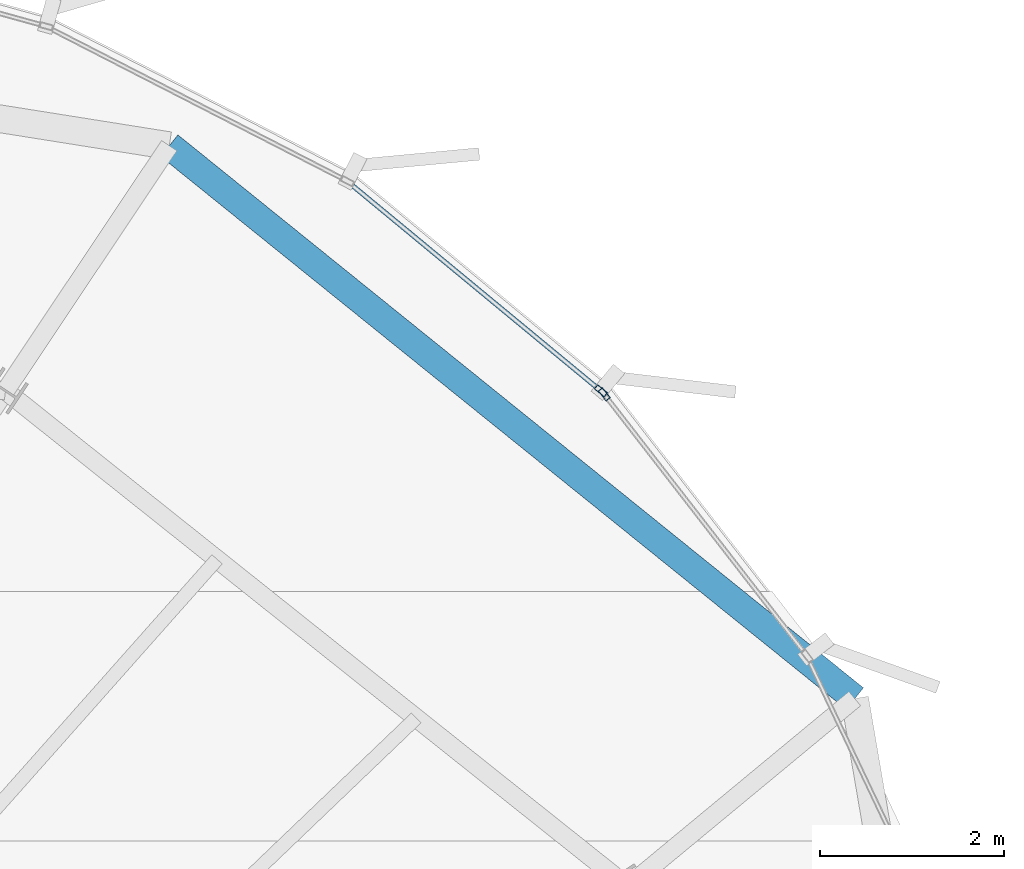
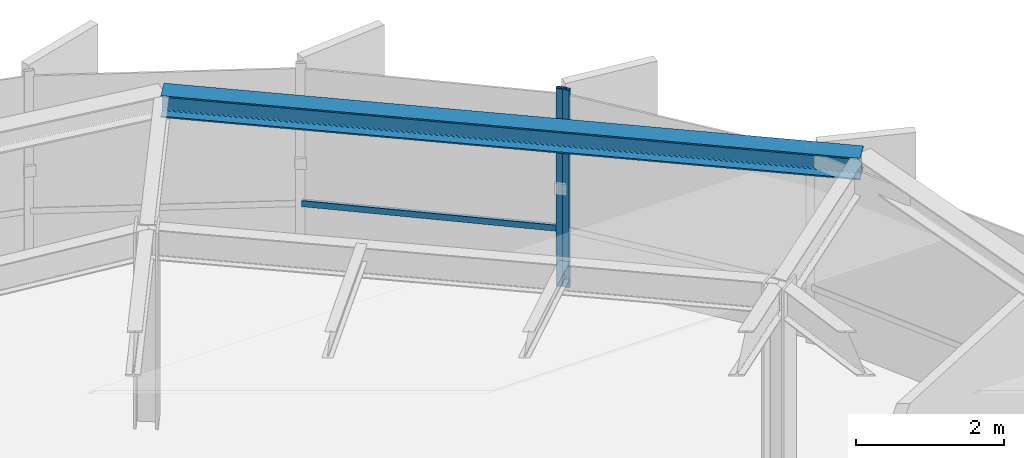
# One storey, part 26 of 33: 3 members, 1 beam, 2 elements without a shape of their own.
"""IFC4 building model written with IfcOpenShell, lengths in metres."""

import ifcopenshell
import ifcopenshell.guid

model = None  # the IFC model being written
_history = None  # IfcOwnerHistory: only IFC2X3 demands one
_inside = {}  # id of a spatial element -> (the spatial element, [elements in it])
_under = {}  # id of a project, library or spatial element -> (it, [spatial elements below it])
_declared = {}  # id of a project -> (the project, [libraries it declares])
_typed = {}  # id of a type object -> (the type object, [elements of that type])
_made_of = {}  # id of a material, layer set ... -> (it, [elements and type objects made of it])


def new_model(schema):
    """Start an empty IFC model of exactly this schema.

    Asked for "IFC4X3", IfcOpenShell would pick the latest addendum, in which some entities
    have other attributes; the version numbers below select the first issue.
    IFC2X3 requires an IfcOwnerHistory on every rooted entity: one is made here for all.
    """
    global model, _history
    if schema == "IFC4X3":
        model = ifcopenshell.file(schema_version=(4, 3, 0, 0))
    else:
        model = ifcopenshell.file(schema=schema)
    _inside.clear()
    _under.clear()
    _declared.clear()
    _typed.clear()
    _made_of.clear()
    _history = None
    if model.schema == "IFC2X3":
        org = make("IfcOrganization", Name="unknown")
        user = make(
            "IfcPersonAndOrganization",
            ThePerson=make("IfcPerson", FamilyName="unknown"),
            TheOrganization=org,
        )
        app = make(
            "IfcApplication",
            ApplicationDeveloper=org,
            Version="unknown",
            ApplicationFullName="unknown",
            ApplicationIdentifier="unknown",
        )
        _history = make(
            "IfcOwnerHistory",
            OwningUser=user,
            OwningApplication=app,
            ChangeAction="ADDED",
            CreationDate=0,
        )
    return model


def make(cls, **values):
    """One entity of the class cls with the attributes given. An attribute that is None is left unset."""
    return model.create_entity(
        cls, **{name: value for name, value in values.items() if value is not None}
    )


def rooted(cls, **values):
    """An entity with a GlobalId (a new one), such as an element, a storey or a relation."""
    return make(cls, GlobalId=ifcopenshell.guid.new(), OwnerHistory=_history, **values)


def si_unit(unit_type, name, prefix=None):
    """IfcSIUnit, for example si_unit("LENGTHUNIT", "METRE", prefix="MILLI")."""
    return make("IfcSIUnit", UnitType=unit_type, Prefix=prefix, Name=name)


def assignment(units):
    """IfcUnitAssignment: the units of a project."""
    return None if units is None else make("IfcUnitAssignment", Units=units)


def point(xyz):
    """IfcCartesianPoint."""
    return None if xyz is None else make("IfcCartesianPoint", Coordinates=xyz)


def direction(xyz):
    """IfcDirection."""
    return None if xyz is None else make("IfcDirection", DirectionRatios=xyz)


def frame(location, z_axis=None, x_axis=None):
    """IfcAxis2Placement3D, a coordinate frame: its origin and axes. An axis left out is left unset."""
    return make(
        "IfcAxis2Placement3D",
        Location=point(location),
        Axis=direction(z_axis),
        RefDirection=direction(x_axis),
    )


def frame_2d(location, x_axis=None):
    """IfcAxis2Placement2D, a coordinate frame in the plane: its origin and x axis."""
    return make(
        "IfcAxis2Placement2D", Location=point(location), RefDirection=direction(x_axis)
    )


def origin():
    """The frame at (0, 0, 0) with its axes left unset."""
    return frame((0.0, 0.0, 0.0))


def origin_2d():
    """The frame at (0, 0) in the plane with its x axis left unset."""
    return frame_2d((0.0, 0.0))


def place(relative_to, where):
    """IfcLocalPlacement: puts the frame where relative to a parent placement (None: the world)."""
    return make(
        "IfcLocalPlacement", PlacementRelTo=relative_to, RelativePlacement=where
    )


def context(
    kind, dimensions, precision=None, world=None, true_north=None, identifier=None
):
    """IfcGeometricRepresentationContext, for example the 3D "Model" context."""
    return make(
        "IfcGeometricRepresentationContext",
        ContextIdentifier=identifier,
        ContextType=kind,
        CoordinateSpaceDimension=dimensions,
        Precision=precision,
        WorldCoordinateSystem=world,
        TrueNorth=true_north,
    )


def subcontext(parent, identifier, kind, view, scale=None):
    """IfcGeometricRepresentationSubContext, for example "Body" below "Model"."""
    return make(
        "IfcGeometricRepresentationSubContext",
        ContextIdentifier=identifier,
        ContextType=kind,
        ParentContext=parent,
        TargetScale=scale,
        TargetView=view,
    )


def project(units=None, contexts=None):
    """IfcProject with its units and contexts."""
    return rooted(
        "IfcProject",
        Name="project",
        RepresentationContexts=contexts,
        UnitsInContext=assignment(units),
    )


def spatial(cls, under=None, at=None, **own):
    """A site, building, storey or space (cls), placed at a placement, below another one or the project."""
    s = rooted(cls, ObjectPlacement=at, **own)
    if under is not None:
        _under.setdefault(under.id(), (under, []))[1].append(s)
    return s


def profile(cls, at=None, kind="AREA", **sizes):
    """A parametric profile (cls). Its sizes go by their IFC names, for example OverallWidth=200.0."""
    return make(cls, ProfileType=kind, Position=at, **sizes)


def hollow_rectangle(**sizes):
    """IfcRectangleHollowProfileDef."""
    return profile("IfcRectangleHollowProfileDef", **sizes)


def i_section(**sizes):
    """IfcIShapeProfileDef."""
    return profile("IfcIShapeProfileDef", **sizes)


def extrude(swept, where, along, depth):
    """IfcExtrudedAreaSolid: the profile swept, set in the frame where, extruded along a direction by depth."""
    return make(
        "IfcExtrudedAreaSolid",
        SweptArea=swept,
        Position=where,
        ExtrudedDirection=direction(along),
        Depth=depth,
    )


def shape(context_of_items, identifier, shape_type, items):
    """IfcShapeRepresentation: the items that make up one representation, for example the "Body"."""
    return make(
        "IfcShapeRepresentation",
        ContextOfItems=context_of_items,
        RepresentationIdentifier=identifier,
        RepresentationType=shape_type,
        Items=items,
    )


def source(mapping_origin, context_of_items, identifier, shape_type, items):
    """IfcRepresentationMap: a shape defined once, which mapped items show again and again."""
    return make(
        "IfcRepresentationMap",
        MappingOrigin=mapping_origin,
        MappedRepresentation=shape(context_of_items, identifier, shape_type, items),
    )


def transform(
    local_origin,
    x_axis=None,
    y_axis=None,
    z_axis=None,
    scale=None,
    scale2=None,
    scale3=None,
    uniform=True,
):
    """IfcCartesianTransformationOperator3D, or its non-uniform kind. x_axis, y_axis, z_axis: its Axis1, 2, 3."""
    if uniform:
        return make(
            "IfcCartesianTransformationOperator3D",
            Axis1=direction(x_axis),
            Axis2=direction(y_axis),
            LocalOrigin=point(local_origin),
            Scale=scale,
            Axis3=direction(z_axis),
        )
    return make(
        "IfcCartesianTransformationOperator3DnonUniform",
        Axis1=direction(x_axis),
        Axis2=direction(y_axis),
        LocalOrigin=point(local_origin),
        Scale=scale,
        Axis3=direction(z_axis),
        Scale2=scale2,
        Scale3=scale3,
    )


def mapped(mapping_source, mapping_target):
    """IfcMappedItem: shows the shape of a source again, moved by a transform."""
    return make(
        "IfcMappedItem", MappingSource=mapping_source, MappingTarget=mapping_target
    )


def material(Name=None, Category=None):
    """IfcMaterial."""
    return make("IfcMaterial", Name=Name, Category=Category)


def layer(
    of_material, thickness, ventilated=None, Name=None, Category=None, Priority=None
):
    """IfcMaterialLayer: one layer of a wall or slab, of a material (None: an air gap)."""
    return make(
        "IfcMaterialLayer",
        Material=of_material,
        LayerThickness=thickness,
        IsVentilated=ventilated,
        Name=Name,
        Category=Category,
        Priority=Priority,
    )


def layer_set(layers, Name=None):
    """IfcMaterialLayerSet."""
    return make("IfcMaterialLayerSet", MaterialLayers=layers, LayerSetName=Name)


def material_profile(
    of_material, cross_section, Name=None, Category=None, Priority=None
):
    """IfcMaterialProfile: a cross section and its material."""
    return make(
        "IfcMaterialProfile",
        Name=Name,
        Material=of_material,
        Profile=cross_section,
        Priority=Priority,
        Category=Category,
    )


def profile_set(profiles, Name=None, composite=None):
    """IfcMaterialProfileSet."""
    return make(
        "IfcMaterialProfileSet",
        Name=Name,
        MaterialProfiles=profiles,
        CompositeProfile=composite,
    )


def made_of(thing, what):
    """Note that an element or type object is made of a material, layer set ...; save() writes the relation."""
    if what is not None:
        _made_of.setdefault(what.id(), (what, []))[1].append(thing)
    return thing


def type_object(cls, material=None, **own):
    """A type object (cls), such as IfcWallType, which elements share."""
    return made_of(rooted(cls, **own), material)


def element(
    cls,
    number,
    at=None,
    inside=None,
    cuts=None,
    type_object=None,
    material=None,
    context=None,
    identifier="Body",
    shape_type=None,
    held_by="IfcProductDefinitionShape",
    body=None,
    shapes=None,
    **own,
):
    """One element of the class cls, such as IfcWall. Its Tag is "e" and its number.

    at: its placement. inside: the storey or other place that contains it. cuts: it is an
    opening in that element (IfcRelVoidsElement). A single representation is given by context,
    identifier, shape_type and body (its items); several are given by shapes. held_by: the class
    of the entity that holds the representations. save() writes the other relations.
    """
    e = rooted(cls, Tag="e%d" % number, ObjectPlacement=at, **own)
    if body is not None:
        shapes = [shape(context, identifier, shape_type, body)]
    if shapes is not None:
        e.Representation = make(held_by, Representations=shapes)
    if inside is not None:
        _inside.setdefault(inside.id(), (inside, []))[1].append(e)
    if cuts is not None:
        rooted(
            "IfcRelVoidsElement", RelatingBuildingElement=cuts, RelatedOpeningElement=e
        )
    if type_object is not None:
        _typed.setdefault(type_object.id(), (type_object, []))[1].append(e)
    return made_of(e, material)


def aggregate(whole, parts):
    """IfcRelAggregates: a whole, such as a stair, and the parts it consists of."""
    return rooted("IfcRelAggregates", RelatingObject=whole, RelatedObjects=parts)


def save(model, path):
    """Write the relations noted so far, then the file.

    IfcRelAggregates (storeys below a building ...), IfcRelContainedInSpatialStructure (elements
    in a storey), IfcRelDefinesByType, IfcRelAssociatesMaterial and IfcRelDeclares: one each for
    every whole, place, type object, material and project.
    """
    for whole, parts in _under.values():
        aggregate(whole, parts)
    for where, things in _inside.values():
        rooted(
            "IfcRelContainedInSpatialStructure",
            RelatedElements=things,
            RelatingStructure=where,
        )
    for kind, things in _typed.values():
        rooted("IfcRelDefinesByType", RelatedObjects=things, RelatingType=kind)
    for what, things in _made_of.values():
        rooted("IfcRelAssociatesMaterial", RelatedObjects=things, RelatingMaterial=what)
    for by, libraries in _declared.values():
        rooted("IfcRelDeclares", RelatingContext=by, RelatedDefinitions=libraries)
    model.write(path)


model = new_model("IFC4")

# Units and contexts
model_context = context("Model", 3, precision=1e-05, world=origin(), true_north=direction((0.0, 1.0)))
body_context = subcontext(model_context, "Body", "Model", "MODEL_VIEW")
ifc_project = project(units=[si_unit("LENGTHUNIT", "METRE"), si_unit("AREAUNIT", "SQUARE_METRE"), si_unit("VOLUMEUNIT", "CUBIC_METRE"), si_unit("PLANEANGLEUNIT", "RADIAN"), si_unit("MASSUNIT", "GRAM", prefix="KILO"), si_unit("THERMODYNAMICTEMPERATUREUNIT", "KELVIN")], contexts=[model_context])

# Site, building, storey
site_placement = place(None, origin())
site = spatial("IfcSite", under=ifc_project, at=site_placement, CompositionType="ELEMENT")
building_placement = place(site_placement, origin())
building = spatial("IfcBuilding", under=site, at=building_placement, Name="Kethvar Cultural Tower", CompositionType="ELEMENT")
storey_placement = place(building_placement, frame((0.0, 0.0, 211.39990234375)))
storey = spatial("IfcBuildingStorey", under=building, at=storey_placement, Name="L55", CompositionType="ELEMENT", Elevation=211.39990234375)

# Beam
ifc_material_1 = material(Name="Steel S355J2", Category="steel")
ifc_material_profile_1 = material_profile(ifc_material_1, i_section(OverallWidth=0.300048828125, OverallDepth=0.360107421875, WebThickness=0.012451171875, FlangeThickness=0.0224609375, FilletRadius=0.027099609375, at=origin_2d()), Name="Steel S355J2 — HEB360")
ifc_profile_set_1 = profile_set([ifc_material_profile_1], Name="Steel S355J2 — HEB360")
beam_type = type_object("IfcBeamType", Name="BM-SP360", PredefinedType="SPANDREL", material=ifc_profile_set_1)
shared_shape_1 = source(origin(), body_context, "Body", "SweptSolid", [
    extrude(i_section(OverallWidth=0.300048828125, OverallDepth=0.360107421875, WebThickness=0.012451171875, FlangeThickness=0.0224609375, FilletRadius=0.027099609375, at=origin_2d()), origin(), (0.0, 0.0, 1.0), 9.563232421875),
])
beam_placement = place(storey_placement, frame((67.96923828125, 42.338134765625, 3.078125), z_axis=(-0.77833939171, 0.627843763458, 0.0), x_axis=(-0.627843763458, -0.77833939171, 0.0)))
element("IfcBeam", 1, at=beam_placement, inside=storey, type_object=beam_type, Name="L55 Perimeter Spandrel Beam SP-02", PredefinedType="SPANDREL", context=body_context, shape_type="MappedRepresentation", body=[
    mapped(shared_shape_1, transform((0.0, 0.0, 0.0), scale=1.0)),
])

# Curtain wall, member
ifc_material_2 = material(Name="Aluminium 6063-T6", Category="aluminium")
ifc_layer = layer(ifc_material_2, 0.179931640625, Name="Aluminium 6063-T6", Category="aluminium")
ifc_layer_set = layer_set([ifc_layer], Name="Aluminium 6063-T6 (180 mm)")
curtain_wall_type = type_object("IfcCurtainWallType", Name="CW-SYS-04-Z34", PredefinedType="NOTDEFINED", material=ifc_layer_set)
curtain_wall_1_placement = place(storey_placement, origin())
curtain_wall_1 = element("IfcCurtainWall", 2, at=curtain_wall_1_placement, inside=storey, type_object=curtain_wall_type, Name="L55 Curtain Wall Run 01", PredefinedType="NOTDEFINED")
ifc_material_profile_2 = material_profile(ifc_material_2, hollow_rectangle(XDim=0.06005859375, YDim=0.139892578125, WallThickness=0.0048828125, at=origin_2d()), Name="Aluminium 6063-T6 — RHS140x60x5")
ifc_profile_set_2 = profile_set([ifc_material_profile_2], Name="Aluminium 6063-T6 — RHS140x60x5")
member_type_1 = type_object("IfcMemberType", Name="CW-SYS-04-Z34-MUL", PredefinedType="MULLION", material=ifc_profile_set_2)
shared_shape_2 = source(origin(), body_context, "Body", "SweptSolid", [
    extrude(hollow_rectangle(XDim=0.06005859375, YDim=0.139892578125, WallThickness=0.0048828125, at=origin_2d()), origin(), (0.0, 0.0, 1.0), 3.260009765625),
])
member_1_placement = place(storey_placement, frame((65.21240234375, 45.679931640625, 0.0), z_axis=(0.0, 0.0, 1.0), x_axis=(-0.637047369844, -0.770824654882, 0.0)))
member_1 = element("IfcMember", 3, at=member_1_placement, type_object=member_type_1, Name="CW-L55-R01 Mullion 1", PredefinedType="MULLION", context=body_context, shape_type="MappedRepresentation", body=[
    mapped(shared_shape_2, transform((0.0, 0.0, 0.0), scale=1.0)),
])

curtain_wall_2_placement = place(storey_placement, origin())
curtain_wall_2 = element("IfcCurtainWall", 4, at=curtain_wall_2_placement, inside=storey, type_object=curtain_wall_type, Name="L55 Curtain Wall Run 06", PredefinedType="NOTDEFINED")
member_2_placement = place(storey_placement, frame((65.24951171875, 45.6416015625, 0.0), z_axis=(0.0, 0.0, 1.0), x_axis=(-0.790454440902, -0.612520837897, 0.0)))
member_2 = element("IfcMember", 5, at=member_2_placement, type_object=member_type_1, Name="CW-L55-R06 Mullion 6", PredefinedType="MULLION", context=body_context, shape_type="MappedRepresentation", body=[
    mapped(shared_shape_2, transform((0.0, 0.0, 0.0), scale=1.0)),
])
aggregate(curtain_wall_2, [member_2])

# Member
ifc_material_profile_3 = material_profile(ifc_material_2, hollow_rectangle(XDim=0.050048828125, YDim=0.10009765625, WallThickness=0.00390625, at=origin_2d()), Name="Aluminium 6063-T6 — RHS100x50x4")
ifc_profile_set_3 = profile_set([ifc_material_profile_3], Name="Aluminium 6063-T6 — RHS100x50x4")
member_type_2 = type_object("IfcMemberType", Name="CW-SYS-04-Z34-TRN", PredefinedType="USERDEFINED", material=ifc_profile_set_3)
shared_shape_3 = source(origin(), body_context, "Body", "SweptSolid", [
    extrude(hollow_rectangle(XDim=0.050048828125, YDim=0.10009765625, WallThickness=0.00390625, at=origin_2d()), origin(), (0.0, 0.0, 1.0), 3.54833984375),
])
member_3_placement = place(storey_placement, frame((65.208984375, 45.6826171875, 0.9501953125), z_axis=(-0.770814845487, 0.637059238986, 0.0), x_axis=(-0.637059238986, -0.770814845487, 0.0)))
member_3 = element("IfcMember", 6, at=member_3_placement, type_object=member_type_2, Name="CW-L55-R01 Transom 1", ObjectType="TRANSOM", PredefinedType="USERDEFINED", context=body_context, shape_type="MappedRepresentation", body=[
    mapped(shared_shape_3, transform((0.0, 0.0, 0.0), scale=1.0)),
])

aggregate(curtain_wall_1, [member_1, member_3])

save(model, "model.ifc")
